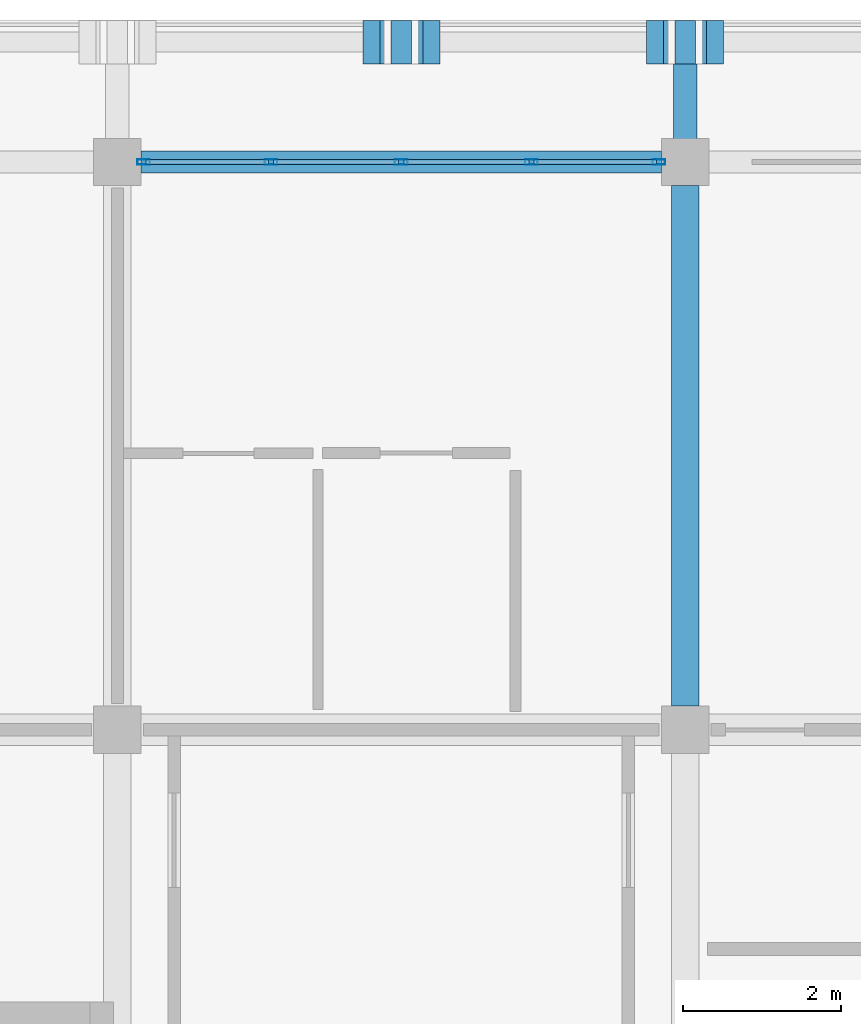
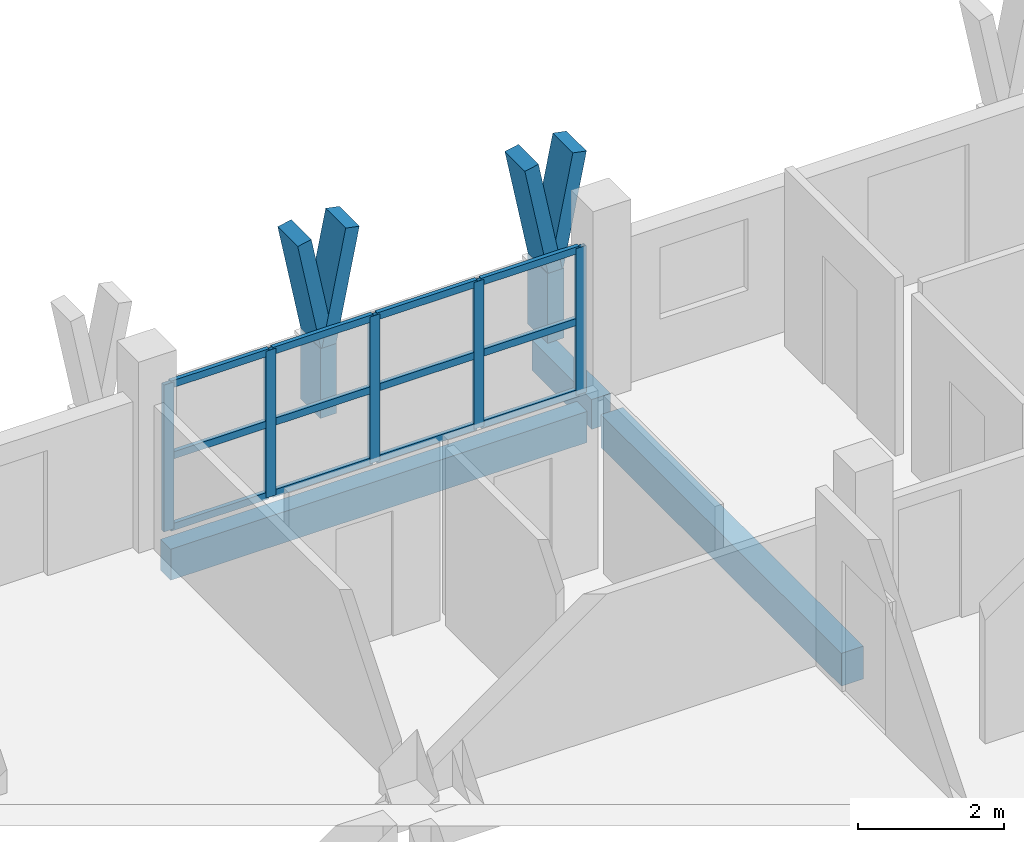
# One storey, part 29 of 76: 23 members, 3 beams, 1 element without a shape of its own.
"""IFC4 building model written with IfcOpenShell, lengths in metres."""

from ifc_helpers import new_model, si_unit, direction, frame, origin, origin_2d, place, context, subcontext, project, spatial, rectangle, hollow_rectangle, extrude, material, material_profile, profile_set, type_object, element, aggregate, save


model = new_model("IFC4")

# Units and contexts
model_context = context("Model", 3, precision=1e-05, world=origin(), true_north=direction((0.0, 1.0)))
body_context = subcontext(model_context, "Body", "Model", "MODEL_VIEW")
ifc_project = project(units=[si_unit("LENGTHUNIT", "METRE"), si_unit("AREAUNIT", "SQUARE_METRE"), si_unit("VOLUMEUNIT", "CUBIC_METRE"), si_unit("PLANEANGLEUNIT", "RADIAN"), si_unit("MASSUNIT", "GRAM", prefix="KILO")], contexts=[model_context])

# Site, building, storey
site_placement = place(None, origin())
site = spatial("IfcSite", under=ifc_project, at=site_placement, CompositionType="ELEMENT")
building_placement = place(site_placement, origin())
building = spatial("IfcBuilding", under=site, at=building_placement, Name="Suanplinth Sawtooth Commons", CompositionType="ELEMENT")
storey_placement = place(building_placement, frame((0.0, 0.0, 12.199951171875)))
storey = spatial("IfcBuildingStorey", under=building, at=storey_placement, Name="L03", CompositionType="ELEMENT", Elevation=12.199951171875)

# Beams
ifc_material_1 = material(Name="Precast concrete C40/50", Category="concrete")
ifc_material_profile_1 = material_profile(ifc_material_1, rectangle(XDim=0.35009765625, YDim=0.550048828125, at=origin_2d()), Name="PC-BM 350x550")
ifc_profile_set_1 = profile_set([ifc_material_profile_1], Name="Precast concrete C40/50")
beam_type_1 = type_object("IfcBeamType", Name="B-06", PredefinedType="BEAM", material=ifc_profile_set_1)
beam_1_placement = place(storey_placement, frame((151.199951171875, 115.5, -0.514892578125), z_axis=(0.0, 1.0, 0.0), x_axis=(-1.0, 0.0, 0.0)))
element("IfcBeam", 1, at=beam_1_placement, inside=storey, type_object=beam_type_1, Name="BMY-L03-B-21-16", PredefinedType="BEAM", context=body_context, shape_type="SweptSolid", body=[
    extrude(rectangle(XDim=0.35009765625, YDim=0.550048828125, at=origin_2d()), origin(), (0.0, 0.0, 1.0), 6.60009765625),
])
ifc_material_profile_2 = material_profile(ifc_material_1, rectangle(XDim=0.300048828125, YDim=0.5, at=origin_2d()), Name="PC-BM 300x500")
ifc_profile_set_2 = profile_set([ifc_material_profile_2], Name="Precast concrete C40/50")
beam_type_2 = type_object("IfcBeamType", Name="B-07", PredefinedType="BEAM", material=ifc_profile_set_2)
beam_2_placement = place(storey_placement, frame((151.199951171875, 122.39990234375, -0.429931640625), z_axis=(0.0, 1.0, 0.0), x_axis=(-1.0, 0.0, 0.0)))
element("IfcBeam", 2, at=beam_2_placement, inside=storey, type_object=beam_type_2, Name="Balcony Outrigger L03-B-N-21", PredefinedType="BEAM", context=body_context, shape_type="SweptSolid", body=[
    extrude(rectangle(XDim=0.300048828125, YDim=0.5, at=origin_2d()), origin(), (0.0, 0.0, 1.0), 1.64013671875),
])
ifc_material_profile_3 = material_profile(ifc_material_1, rectangle(XDim=0.280029296875, YDim=0.52001953125, at=origin_2d()), Name="PC-SP 280x520")
ifc_profile_set_3 = profile_set([ifc_material_profile_3], Name="Precast concrete C40/50")
beam_type_3 = type_object("IfcBeamType", Name="B-08", PredefinedType="SPANDREL", material=ifc_profile_set_3)
beam_3_placement = place(storey_placement, frame((144.300048828125, 122.39990234375, -0.5), z_axis=(1.0, 0.0, 0.0), x_axis=(0.0, 1.0, 0.0)))
element("IfcBeam", 3, at=beam_3_placement, inside=storey, type_object=beam_type_3, Name="BMX-L03-B-20-17", PredefinedType="SPANDREL", context=body_context, shape_type="SweptSolid", body=[
    extrude(rectangle(XDim=0.280029296875, YDim=0.52001953125, at=origin_2d()), origin(), (0.0, 0.0, 1.0), 6.599853515625),
])

# Members
ifc_material_2 = material(Name="Pigmented precast concrete C40/50", Category="concrete")
ifc_material_profile_4 = material_profile(ifc_material_2, rectangle(XDim=0.260009765625, YDim=0.550048828125, at=origin_2d()), Name="PC-FIN 260x550")
ifc_profile_set_4 = profile_set([ifc_material_profile_4], Name="Pigmented precast concrete C40/50")
member_type_1 = type_object("IfcMemberType", Name="M-09", PredefinedType="USERDEFINED", material=ifc_profile_set_4)
for number, where, z_axis, x_axis, name in (
    (4, (147.60009765625, 123.919921875, 0.0), (0.0, 0.0, 1.0), (1.0, 0.0, 0.0), "Y-Blade Stem L03-B-N-03"),
    (5, (151.199951171875, 123.919921875, 0.0), (0.0, 0.0, 1.0), (1.0, 0.0, 0.0), "Y-Blade Stem L03-B-N-04"),
):
    element("IfcMember", number, at=place(storey_placement, frame(where, z_axis=z_axis, x_axis=x_axis)), inside=storey, type_object=member_type_1, Name=name, ObjectType="SHADING FIN", PredefinedType="USERDEFINED", context=body_context, shape_type="SweptSolid", body=[
        extrude(rectangle(XDim=0.260009765625, YDim=0.550048828125, at=origin_2d()), origin(), (0.0, 0.0, 1.0), 1.170166015625),
    ])
ifc_material_profile_5 = material_profile(ifc_material_2, rectangle(XDim=0.219970703125, YDim=0.550048828125, at=origin_2d()), Name="PC-FIN 220x550")
ifc_profile_set_5 = profile_set([ifc_material_profile_5], Name="Pigmented precast concrete C40/50")
member_type_2 = type_object("IfcMemberType", Name="M-10", PredefinedType="USERDEFINED", material=ifc_profile_set_5)
member_1_placement = place(storey_placement, frame((147.60009765625, 123.919921875, 1.130126953125), z_axis=(-0.196431120402, 0.0, 0.980517626021), x_axis=(0.980517626021, 0.0, 0.196431120402)))
element("IfcMember", 6, at=member_1_placement, inside=storey, type_object=member_type_2, Name="Y-Blade Arm L L03-B-N-03", ObjectType="SHADING FIN", PredefinedType="USERDEFINED", context=body_context, shape_type="SweptSolid", body=[
    extrude(rectangle(XDim=0.219970703125, YDim=0.550048828125, at=origin_2d()), origin(), (0.0, 0.0, 1.0), 1.937744140625),
])
for number, where, z_axis, x_axis, name in (
    (7, (147.60009765625, 123.919921875, 1.130126953125), (0.196309979414, 0.0, 0.980541886909), (-0.980541886909, 0.0, 0.196309979414), "Y-Blade Arm R L03-B-N-03"),
    (8, (151.199951171875, 123.919921875, 1.130126953125), (-0.196309979414, 0.0, 0.980541886909), (0.980541886909, 0.0, 0.196309979414), "Y-Blade Arm L L03-B-N-04"),
):
    element("IfcMember", number, at=place(storey_placement, frame(where, z_axis=z_axis, x_axis=x_axis)), inside=storey, type_object=member_type_2, Name=name, ObjectType="SHADING FIN", PredefinedType="USERDEFINED", context=body_context, shape_type="SweptSolid", body=[
        extrude(rectangle(XDim=0.219970703125, YDim=0.550048828125, at=origin_2d()), origin(), (0.0, 0.0, 1.0), 1.9375),
    ])
member_2_placement = place(storey_placement, frame((151.199951171875, 123.919921875, 1.130126953125), z_axis=(0.196431120402, 0.0, 0.980517626021), x_axis=(-0.980517626021, 0.0, 0.196431120402)))
element("IfcMember", 9, at=member_2_placement, inside=storey, type_object=member_type_2, Name="Y-Blade Arm R L03-B-N-04", ObjectType="SHADING FIN", PredefinedType="USERDEFINED", context=body_context, shape_type="SweptSolid", body=[
    extrude(rectangle(XDim=0.219970703125, YDim=0.550048828125, at=origin_2d()), origin(), (0.0, 0.0, 1.0), 1.937744140625),
])

# Curtain wall, members
ifc_material_3 = material(Name="Anodized aluminium and low-E glazing", Category="aluminium")
curtain_wall_type = type_object("IfcCurtainWallType", Name="CW-06", PredefinedType="USERDEFINED", material=ifc_material_3)
curtain_wall_placement = place(storey_placement, origin())
curtain_wall = element("IfcCurtainWall", 10, at=curtain_wall_placement, inside=storey, type_object=curtain_wall_type, Name="Curtain Wall CW-L03-B-LOUNGE-20", ObjectType="CURTAIN WALL", PredefinedType="USERDEFINED")
ifc_material_4 = material(Name="Anodized aluminium 6063-T6", Category="aluminium")
ifc_material_profile_6 = material_profile(ifc_material_4, hollow_rectangle(XDim=0.06494140625, YDim=0.159912109375, WallThickness=0.00390625, at=origin_2d()), Name="ALU-MUL 65x160")
ifc_profile_set_6 = profile_set([ifc_material_profile_6], Name="Anodized aluminium 6063-T6")
member_type_3 = type_object("IfcMemberType", Name="M-13", PredefinedType="MULLION", material=ifc_profile_set_6)
member_3_placement = place(storey_placement, frame((144.33251953125, 122.39990234375, 0.0), z_axis=(0.0, 0.0, 1.0), x_axis=(0.0, 1.0, 0.0)))
member_3 = element("IfcMember", 11, at=member_3_placement, type_object=member_type_3, Name="CW-06 mullion 1", PredefinedType="MULLION", context=body_context, shape_type="SweptSolid", body=[
    extrude(hollow_rectangle(XDim=0.06494140625, YDim=0.159912109375, WallThickness=0.00390625, at=origin_2d()), origin(), (0.0, 0.0, 1.0), 2.4599609375),
])
member_4_placement = place(storey_placement, frame((145.949951171875, 122.39990234375, 0.0), z_axis=(0.0, 0.0, 1.0), x_axis=(0.0, 1.0, 0.0)))
member_4 = element("IfcMember", 12, at=member_4_placement, type_object=member_type_3, Name="CW-06 mullion 2", PredefinedType="MULLION", context=body_context, shape_type="SweptSolid", body=[
    extrude(hollow_rectangle(XDim=0.06494140625, YDim=0.159912109375, WallThickness=0.00390625, at=origin_2d()), origin(), (0.0, 0.0, 1.0), 2.4599609375),
])
member_5_placement = place(storey_placement, frame((147.60009765625, 122.39990234375, 0.0), z_axis=(0.0, 0.0, 1.0), x_axis=(0.0, 1.0, 0.0)))
member_5 = element("IfcMember", 13, at=member_5_placement, type_object=member_type_3, Name="CW-06 mullion 3", PredefinedType="MULLION", context=body_context, shape_type="SweptSolid", body=[
    extrude(hollow_rectangle(XDim=0.06494140625, YDim=0.159912109375, WallThickness=0.00390625, at=origin_2d()), origin(), (0.0, 0.0, 1.0), 2.4599609375),
])
member_6_placement = place(storey_placement, frame((149.25, 122.39990234375, 0.0), z_axis=(0.0, 0.0, 1.0), x_axis=(0.0, 1.0, 0.0)))
member_6 = element("IfcMember", 14, at=member_6_placement, type_object=member_type_3, Name="CW-06 mullion 4", PredefinedType="MULLION", context=body_context, shape_type="SweptSolid", body=[
    extrude(hollow_rectangle(XDim=0.06494140625, YDim=0.159912109375, WallThickness=0.00390625, at=origin_2d()), origin(), (0.0, 0.0, 1.0), 2.4599609375),
])
member_7_placement = place(storey_placement, frame((150.867431640625, 122.39990234375, 0.0), z_axis=(0.0, 0.0, 1.0), x_axis=(0.0, 1.0, 0.0)))
member_7 = element("IfcMember", 15, at=member_7_placement, type_object=member_type_3, Name="CW-06 mullion 5", PredefinedType="MULLION", context=body_context, shape_type="SweptSolid", body=[
    extrude(hollow_rectangle(XDim=0.06494140625, YDim=0.159912109375, WallThickness=0.00390625, at=origin_2d()), origin(), (0.0, 0.0, 1.0), 2.4599609375),
])
ifc_material_profile_7 = material_profile(ifc_material_4, hollow_rectangle(XDim=0.06494140625, YDim=0.1201171875, WallThickness=0.00390625, at=origin_2d()), Name="ALU-TRN 65x120")
ifc_profile_set_7 = profile_set([ifc_material_profile_7], Name="Anodized aluminium 6063-T6")
member_type_4 = type_object("IfcMemberType", Name="M-15", PredefinedType="USERDEFINED", material=ifc_profile_set_7)
member_8_placement = place(storey_placement, frame((144.364990234375, 122.39990234375, 0.032470703125), z_axis=(1.0, 0.0, 0.0), x_axis=(0.0, 1.0, 0.0)))
member_8 = element("IfcMember", 16, at=member_8_placement, type_object=member_type_4, Name="CW-06 transom 1.1", ObjectType="TRANSOM", PredefinedType="USERDEFINED", context=body_context, shape_type="SweptSolid", body=[
    extrude(hollow_rectangle(XDim=0.06494140625, YDim=0.1201171875, WallThickness=0.00390625, at=origin_2d()), origin(), (0.0, 0.0, 1.0), 1.552490234375),
])
member_9_placement = place(storey_placement, frame((144.364990234375, 122.39990234375, 1.22998046875), z_axis=(1.0, 0.0, 0.0), x_axis=(0.0, 1.0, 0.0)))
member_9 = element("IfcMember", 17, at=member_9_placement, type_object=member_type_4, Name="CW-06 transom 1.2", ObjectType="TRANSOM", PredefinedType="USERDEFINED", context=body_context, shape_type="SweptSolid", body=[
    extrude(hollow_rectangle(XDim=0.06494140625, YDim=0.1201171875, WallThickness=0.00390625, at=origin_2d()), origin(), (0.0, 0.0, 1.0), 1.552490234375),
])
member_10_placement = place(storey_placement, frame((144.364990234375, 122.39990234375, 2.427490234375), z_axis=(1.0, 0.0, 0.0), x_axis=(0.0, 1.0, 0.0)))
member_10 = element("IfcMember", 18, at=member_10_placement, type_object=member_type_4, Name="CW-06 transom 1.3", ObjectType="TRANSOM", PredefinedType="USERDEFINED", context=body_context, shape_type="SweptSolid", body=[
    extrude(hollow_rectangle(XDim=0.06494140625, YDim=0.1201171875, WallThickness=0.00390625, at=origin_2d()), origin(), (0.0, 0.0, 1.0), 1.552490234375),
])
member_11_placement = place(storey_placement, frame((145.982421875, 122.39990234375, 0.032470703125), z_axis=(1.0, 0.0, 0.0), x_axis=(0.0, 1.0, 0.0)))
member_11 = element("IfcMember", 19, at=member_11_placement, type_object=member_type_4, Name="CW-06 transom 2.1", ObjectType="TRANSOM", PredefinedType="USERDEFINED", context=body_context, shape_type="SweptSolid", body=[
    extrude(hollow_rectangle(XDim=0.06494140625, YDim=0.1201171875, WallThickness=0.00390625, at=origin_2d()), origin(), (0.0, 0.0, 1.0), 1.5849609375),
])
member_12_placement = place(storey_placement, frame((145.982421875, 122.39990234375, 1.22998046875), z_axis=(1.0, 0.0, 0.0), x_axis=(0.0, 1.0, 0.0)))
member_12 = element("IfcMember", 20, at=member_12_placement, type_object=member_type_4, Name="CW-06 transom 2.2", ObjectType="TRANSOM", PredefinedType="USERDEFINED", context=body_context, shape_type="SweptSolid", body=[
    extrude(hollow_rectangle(XDim=0.06494140625, YDim=0.1201171875, WallThickness=0.00390625, at=origin_2d()), origin(), (0.0, 0.0, 1.0), 1.5849609375),
])
member_13_placement = place(storey_placement, frame((145.982421875, 122.39990234375, 2.427490234375), z_axis=(1.0, 0.0, 0.0), x_axis=(0.0, 1.0, 0.0)))
member_13 = element("IfcMember", 21, at=member_13_placement, type_object=member_type_4, Name="CW-06 transom 2.3", ObjectType="TRANSOM", PredefinedType="USERDEFINED", context=body_context, shape_type="SweptSolid", body=[
    extrude(hollow_rectangle(XDim=0.06494140625, YDim=0.1201171875, WallThickness=0.00390625, at=origin_2d()), origin(), (0.0, 0.0, 1.0), 1.5849609375),
])
member_14_placement = place(storey_placement, frame((147.632568359375, 122.39990234375, 0.032470703125), z_axis=(1.0, 0.0, 0.0), x_axis=(0.0, 1.0, 0.0)))
member_14 = element("IfcMember", 22, at=member_14_placement, type_object=member_type_4, Name="CW-06 transom 3.1", ObjectType="TRANSOM", PredefinedType="USERDEFINED", context=body_context, shape_type="SweptSolid", body=[
    extrude(hollow_rectangle(XDim=0.06494140625, YDim=0.1201171875, WallThickness=0.00390625, at=origin_2d()), origin(), (0.0, 0.0, 1.0), 1.5849609375),
])
member_15_placement = place(storey_placement, frame((147.632568359375, 122.39990234375, 1.22998046875), z_axis=(1.0, 0.0, 0.0), x_axis=(0.0, 1.0, 0.0)))
member_15 = element("IfcMember", 23, at=member_15_placement, type_object=member_type_4, Name="CW-06 transom 3.2", ObjectType="TRANSOM", PredefinedType="USERDEFINED", context=body_context, shape_type="SweptSolid", body=[
    extrude(hollow_rectangle(XDim=0.06494140625, YDim=0.1201171875, WallThickness=0.00390625, at=origin_2d()), origin(), (0.0, 0.0, 1.0), 1.5849609375),
])
member_16_placement = place(storey_placement, frame((147.632568359375, 122.39990234375, 2.427490234375), z_axis=(1.0, 0.0, 0.0), x_axis=(0.0, 1.0, 0.0)))
member_16 = element("IfcMember", 24, at=member_16_placement, type_object=member_type_4, Name="CW-06 transom 3.3", ObjectType="TRANSOM", PredefinedType="USERDEFINED", context=body_context, shape_type="SweptSolid", body=[
    extrude(hollow_rectangle(XDim=0.06494140625, YDim=0.1201171875, WallThickness=0.00390625, at=origin_2d()), origin(), (0.0, 0.0, 1.0), 1.5849609375),
])
member_17_placement = place(storey_placement, frame((149.282470703125, 122.39990234375, 0.032470703125), z_axis=(1.0, 0.0, 0.0), x_axis=(0.0, 1.0, 0.0)))
member_17 = element("IfcMember", 25, at=member_17_placement, type_object=member_type_4, Name="CW-06 transom 4.1", ObjectType="TRANSOM", PredefinedType="USERDEFINED", context=body_context, shape_type="SweptSolid", body=[
    extrude(hollow_rectangle(XDim=0.06494140625, YDim=0.1201171875, WallThickness=0.00390625, at=origin_2d()), origin(), (0.0, 0.0, 1.0), 1.552490234375),
])
member_18_placement = place(storey_placement, frame((149.282470703125, 122.39990234375, 1.22998046875), z_axis=(1.0, 0.0, 0.0), x_axis=(0.0, 1.0, 0.0)))
member_18 = element("IfcMember", 26, at=member_18_placement, type_object=member_type_4, Name="CW-06 transom 4.2", ObjectType="TRANSOM", PredefinedType="USERDEFINED", context=body_context, shape_type="SweptSolid", body=[
    extrude(hollow_rectangle(XDim=0.06494140625, YDim=0.1201171875, WallThickness=0.00390625, at=origin_2d()), origin(), (0.0, 0.0, 1.0), 1.552490234375),
])
member_19_placement = place(storey_placement, frame((149.282470703125, 122.39990234375, 2.427490234375), z_axis=(1.0, 0.0, 0.0), x_axis=(0.0, 1.0, 0.0)))
member_19 = element("IfcMember", 27, at=member_19_placement, type_object=member_type_4, Name="CW-06 transom 4.3", ObjectType="TRANSOM", PredefinedType="USERDEFINED", context=body_context, shape_type="SweptSolid", body=[
    extrude(hollow_rectangle(XDim=0.06494140625, YDim=0.1201171875, WallThickness=0.00390625, at=origin_2d()), origin(), (0.0, 0.0, 1.0), 1.552490234375),
])
aggregate(curtain_wall, [member_3, member_4, member_5, member_6, member_7, member_8, member_9, member_10, member_11, member_12, member_13, member_14, member_15, member_16, member_17, member_18, member_19])

save(model, "model.ifc")
